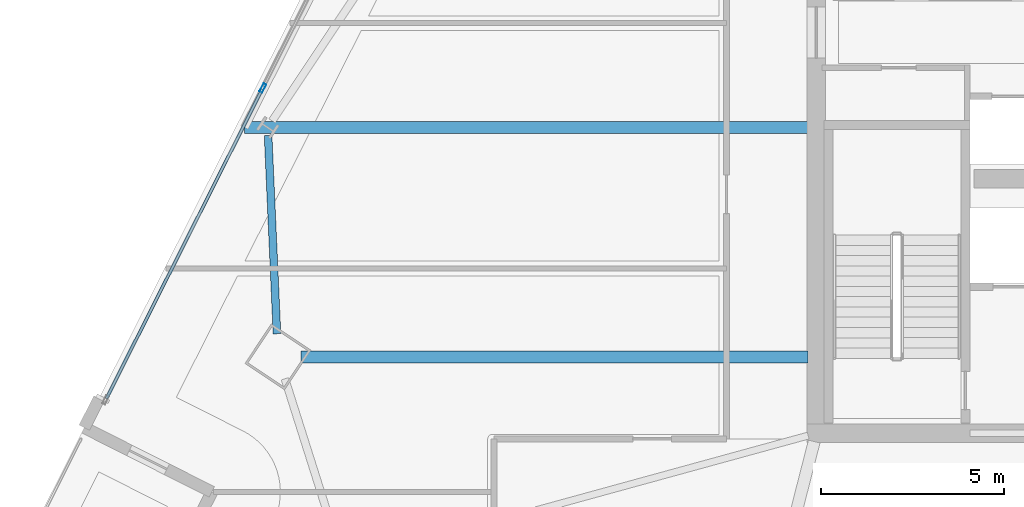
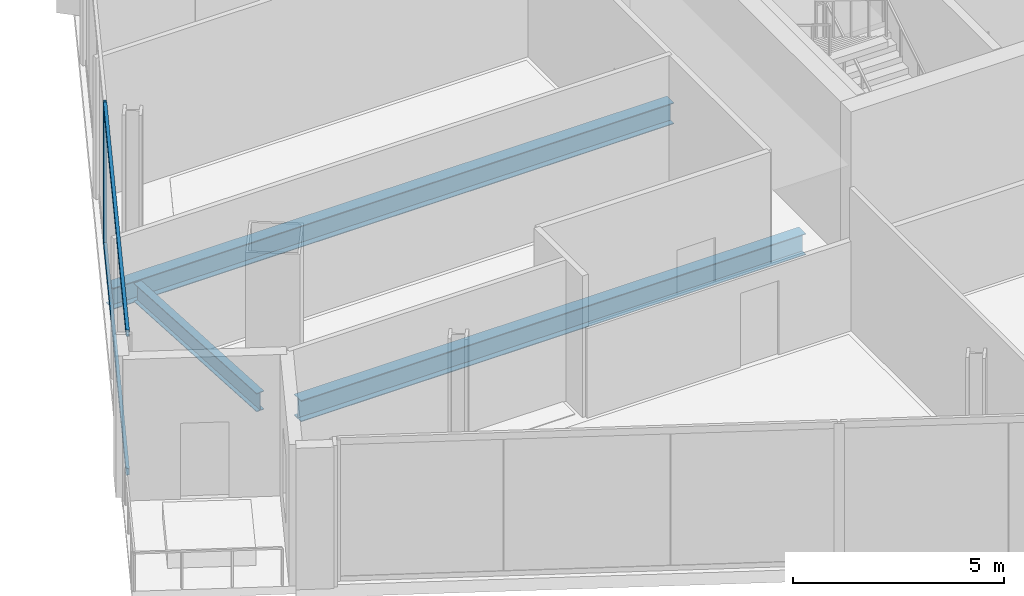
# One storey, part 6 of 27: 3 beams, 3 members, 1 element without a shape of its own.
"""IFC4 building model written with IfcOpenShell, lengths in metres."""

from ifc_helpers import new_model, si_unit, direction, frame, origin, origin_2d, place, context, subcontext, project, spatial, hollow_rectangle, i_section, extrude, material, material_profile, profile_set, type_object, element, aggregate, save


model = new_model("IFC4")

# Units and contexts
model_context = context("Model", 3, precision=1e-05, world=origin(), true_north=direction((0.0, 1.0)))
body_context = subcontext(model_context, "Body", "Model", "MODEL_VIEW")
ifc_project = project(units=[si_unit("LENGTHUNIT", "METRE"), si_unit("AREAUNIT", "SQUARE_METRE"), si_unit("VOLUMEUNIT", "CUBIC_METRE"), si_unit("PLANEANGLEUNIT", "RADIAN"), si_unit("MASSUNIT", "GRAM", prefix="KILO")], contexts=[model_context])

# Site, building, storey
site_placement = place(None, origin())
site = spatial("IfcSite", under=ifc_project, at=site_placement, CompositionType="ELEMENT")
building_placement = place(site_placement, origin())
building = spatial("IfcBuilding", under=site, at=building_placement, Name="Haldenkirk Collegiate Tower", CompositionType="ELEMENT")
storey_placement = place(building_placement, frame((0.0, 0.0, 239.699951171875)))
storey = spatial("IfcBuildingStorey", under=building, at=storey_placement, Name="L60", CompositionType="ELEMENT", Elevation=239.699951171875)

# Beams
ifc_material_1 = material(Name="Steel ASTM A992 Grade 50", Category="steel")
ifc_material_profile_1 = material_profile(ifc_material_1, i_section(OverallWidth=0.324951171875, OverallDepth=0.615966796875, WebThickness=0.013916015625, FlangeThickness=0.021484375, at=origin_2d()), Name="W24X117")
ifc_profile_set_1 = profile_set([ifc_material_profile_1], Name="Steel ASTM A992 Grade 50")
beam_type_1 = type_object("IfcBeamType", Name="BM-GIRDER-W24X117", PredefinedType="BEAM", material=ifc_profile_set_1)
beam_1_placement = place(storey_placement, frame((12.9345703125, 20.089599609375, -0.657958984375), z_axis=(1.0, 0.0, 0.0), x_axis=(0.0, 1.0, 0.0)))
element("IfcBeam", 1, at=beam_1_placement, inside=storey, type_object=beam_type_1, Name="L60 primary floor girder 04", PredefinedType="BEAM", context=body_context, shape_type="SweptSolid", body=[
    extrude(i_section(OverallWidth=0.324951171875, OverallDepth=0.615966796875, WebThickness=0.013916015625, FlangeThickness=0.021484375, at=origin_2d()), origin(), (0.0, 0.0, 1.0), 13.83544921875),
])
beam_2_placement = place(storey_placement, frame((11.392578125, 26.34716796875, -0.657958984375), z_axis=(1.0, 0.0, 0.0), x_axis=(0.0, 1.0, 0.0)))
element("IfcBeam", 2, at=beam_2_placement, inside=storey, type_object=beam_type_1, Name="L60 primary floor girder 13", PredefinedType="BEAM", context=body_context, shape_type="SweptSolid", body=[
    extrude(i_section(OverallWidth=0.324951171875, OverallDepth=0.615966796875, WebThickness=0.013916015625, FlangeThickness=0.021484375, at=origin_2d()), origin(), (0.0, 0.0, 1.0), 15.37744140625),
])
ifc_material_profile_2 = material_profile(ifc_material_1, i_section(OverallWidth=0.2099609375, OverallDepth=0.537109375, WebThickness=0.010986328125, FlangeThickness=0.017333984375, at=origin_2d()), Name="W21X68")
ifc_profile_set_2 = profile_set([ifc_material_profile_2], Name="Steel ASTM A992 Grade 50")
beam_type_2 = type_object("IfcBeamType", Name="BM-SPANDREL-W21X68", PredefinedType="SPANDREL", material=ifc_profile_set_2)
beam_3_placement = place(storey_placement, frame((12.034912109375, 26.13037109375, -0.618408203125), z_axis=(0.044620526426, -0.999004008311, 0.0), x_axis=(0.999004008311, 0.044620526426, 0.0)))
element("IfcBeam", 3, at=beam_3_placement, inside=storey, type_object=beam_type_2, Name="L60 perimeter spandrel beam 12", PredefinedType="SPANDREL", context=body_context, shape_type="SweptSolid", body=[
    extrude(i_section(OverallWidth=0.2099609375, OverallDepth=0.537109375, WebThickness=0.010986328125, FlangeThickness=0.017333984375, at=origin_2d()), origin(), (0.0, 0.0, 1.0), 5.416748046875),
])

# Curtain wall, members
ifc_material_2 = material(Name="Anodised architectural bronze aluminium", Category="aluminium")
curtain_wall_type = type_object("IfcCurtainWallType", Name="CW-SYS1B-CONVEX-HI", PredefinedType="USERDEFINED", material=ifc_material_2)
curtain_wall_placement = place(storey_placement, origin())
curtain_wall = element("IfcCurtainWall", 4, at=curtain_wall_placement, inside=storey, type_object=curtain_wall_type, Name="L60 Upper tower high-wind convex bronze unitised curtain wall", ObjectType="UNITISED CURTAIN WALL", PredefinedType="USERDEFINED")
ifc_material_profile_3 = material_profile(ifc_material_2, hollow_rectangle(XDim=0.0849609375, YDim=0.25, WallThickness=0.0048828125, at=origin_2d()), Name="CW-MUL-1B")
ifc_profile_set_3 = profile_set([ifc_material_profile_3], Name="Anodised architectural bronze aluminium")
member_type_1 = type_object("IfcMemberType", Name="CW-MUL-1B", PredefinedType="MULLION", material=ifc_profile_set_3)
member_1_placement = place(storey_placement, frame((11.892822265625, 27.428466796875, 0.0), z_axis=(0.0, 0.0, 1.0), x_axis=(-0.892978136904, 0.450100041114, 0.0)))
member_1 = element("IfcMember", 5, at=member_1_placement, type_object=member_type_1, Name="CW-1B mullion 2", PredefinedType="MULLION", context=body_context, shape_type="SweptSolid", body=[
    extrude(hollow_rectangle(XDim=0.0849609375, YDim=0.25, WallThickness=0.0048828125, at=origin_2d()), origin(), (0.0, 0.0, 1.0), 4.10009765625),
])
ifc_material_profile_4 = material_profile(ifc_material_2, hollow_rectangle(XDim=0.0849609375, YDim=0.199951171875, WallThickness=0.0048828125, at=origin_2d()), Name="CW-TRN-1B")
ifc_profile_set_4 = profile_set([ifc_material_profile_4], Name="Anodised architectural bronze aluminium")
member_type_2 = type_object("IfcMemberType", Name="CW-TRN-1B", PredefinedType="USERDEFINED", material=ifc_profile_set_4)
member_2_placement = place(storey_placement, frame((7.621337890625, 18.9541015625, 0.04248046875), z_axis=(0.450115877593, 0.89297015445, 0.0), x_axis=(-0.89297015445, 0.450115877593, 0.0)))
member_2 = element("IfcMember", 6, at=member_2_placement, type_object=member_type_2, Name="CW-1B transom 1.1", ObjectType="TRANSOM", PredefinedType="USERDEFINED", context=body_context, shape_type="SweptSolid", body=[
    extrude(hollow_rectangle(XDim=0.0849609375, YDim=0.199951171875, WallThickness=0.0048828125, at=origin_2d()), origin(), (0.0, 0.0, 1.0), 9.447509765625),
])
member_3_placement = place(storey_placement, frame((7.621337890625, 18.9541015625, 4.0576171875), z_axis=(0.450115877593, 0.89297015445, 0.0), x_axis=(-0.89297015445, 0.450115877593, 0.0)))
member_3 = element("IfcMember", 7, at=member_3_placement, type_object=member_type_2, Name="CW-1B transom 1.2", ObjectType="TRANSOM", PredefinedType="USERDEFINED", context=body_context, shape_type="SweptSolid", body=[
    extrude(hollow_rectangle(XDim=0.0849609375, YDim=0.199951171875, WallThickness=0.0048828125, at=origin_2d()), origin(), (0.0, 0.0, 1.0), 9.447509765625),
])
aggregate(curtain_wall, [member_1, member_2, member_3])

save(model, "model.ifc")
